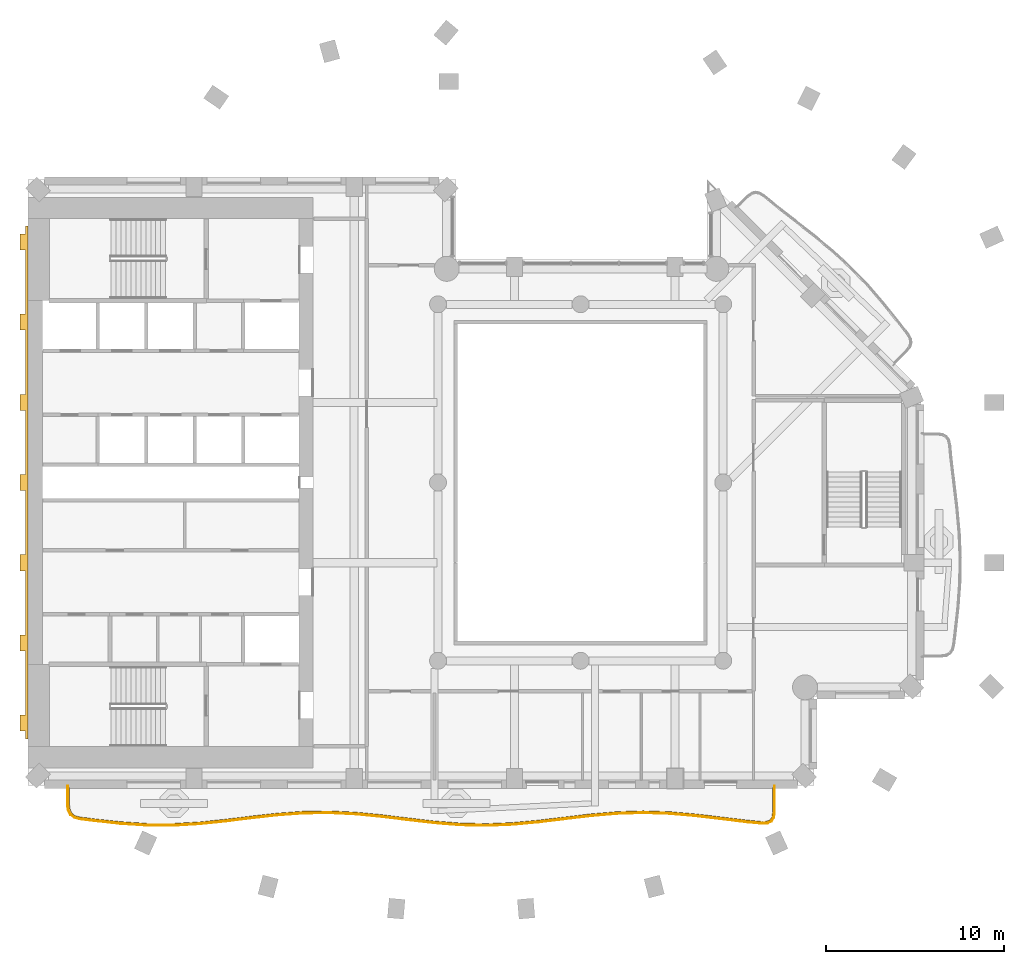
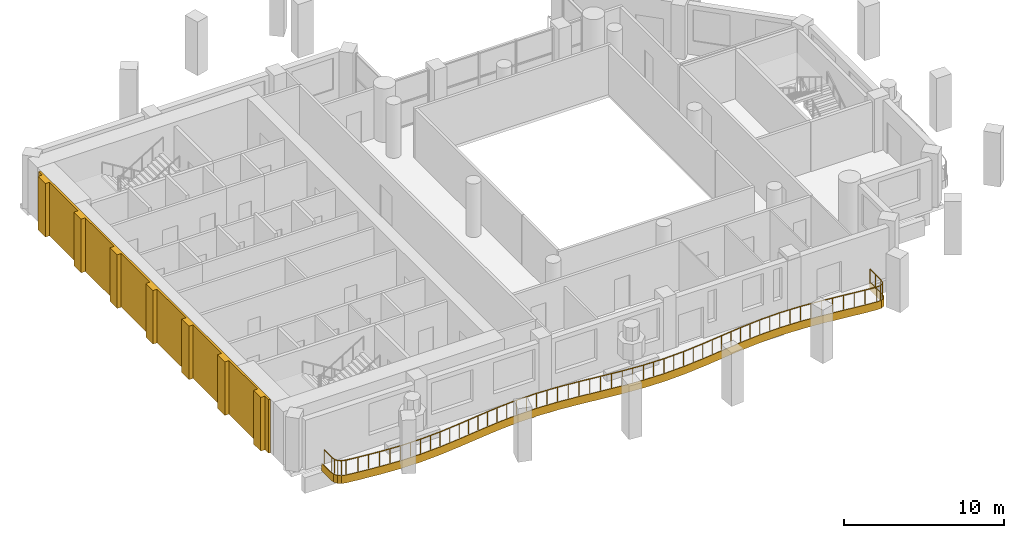
# One storey, part 11 of 15: 2 coverings, 1 railing.
"""IFC4 building model written with IfcOpenShell, lengths in metres."""

from ifc_helpers import new_model, si_unit, direction, frame, origin, origin_2d, place, context, subcontext, project, spatial, polyline, rectangle, outline, extrude, material, layer, layer_set, type_object, element, save


model = new_model("IFC4")

# Units and contexts
model_context = context("Model", 3, precision=1e-05, world=origin(), true_north=direction((0.0, 1.0)))
body_context = subcontext(model_context, "Body", "Model", "MODEL_VIEW")
ifc_project = project(units=[si_unit("LENGTHUNIT", "METRE"), si_unit("AREAUNIT", "SQUARE_METRE"), si_unit("VOLUMEUNIT", "CUBIC_METRE"), si_unit("PLANEANGLEUNIT", "RADIAN"), si_unit("MASSUNIT", "GRAM", prefix="KILO")], contexts=[model_context])

# Site, building, storey
site_placement = place(None, origin())
site = spatial("IfcSite", under=ifc_project, at=site_placement, CompositionType="ELEMENT")
building_placement = place(site_placement, origin())
building = spatial("IfcBuilding", under=site, at=building_placement, Name="Cypress Arch Tower", CompositionType="ELEMENT")
storey_placement = place(building_placement, frame((0.0, 0.0, 213.800048828125)))
storey = spatial("IfcBuildingStorey", under=building, at=storey_placement, Name="L47", CompositionType="ELEMENT", Elevation=213.800048828125)

# Covering
ifc_material_1 = material(Name="White powder-coated aluminium fascia", Category="aluminium")
ifc_layer_1 = layer(ifc_material_1, 0.050048828125)
ifc_layer_set_1 = layer_set([ifc_layer_1], Name="Balcony fascia BF50")
covering_type_1 = type_object("IfcCoveringType", Name="Balcony fascia BF50", PredefinedType="CLADDING", material=ifc_layer_set_1)
covering_1_placement = place(storey_placement, frame((0.0, 0.0, -0.60009765625)))
element("IfcCovering", 1, at=covering_1_placement, inside=storey, type_object=covering_type_1, Name="Balcony fascia L47-B01", PredefinedType="CLADDING", context=body_context, shape_type="SweptSolid", body=[
    extrude(outline(polyline([(11.89990234375, -18.5009765625), (11.856689453125, -18.80126953125), (11.719970703125, -19.017578125), (11.491943359375, -19.134033203125), (11.18896484375, -19.149658203125), (10.378173828125, -19.075439453125), (8.91064453125, -18.898193359375), (7.44482421875, -18.723876953125), (5.98046875, -18.596923828125), (4.5166015625, -18.550048828125), (3.052978515625, -18.594970703125), (1.58837890625, -18.72021484375), (0.12255859375, -18.89404296875), (-1.3447265625, -19.07177734375), (-2.813232421875, -19.207763671875), (-4.282958984375, -19.266845703125), (-5.75244140625, -19.234375), (-7.221435546875, -19.1181640625), (-8.689208984375, -18.9482421875), (-10.155517578125, -18.768310546875), (-11.620361328125, -18.624755859375), (-13.084228515625, -18.5537109375), (-14.5478515625, -18.57373046875), (-16.011962890625, -18.6796875), (-17.4775390625, -18.84423828125), (-18.9443359375, -19.025634765625), (-20.41259765625, -19.177001953125), (-21.882080078125, -19.259765625), (-23.351806640625, -19.252197265625), (-24.821044921875, -19.15673828125), (-26.2890625, -18.99755859375), (-27.099609375, -18.89697265625), (-27.400634765625, -18.81640625), (-27.623291015625, -18.654052734375), (-27.757080078125, -18.4130859375), (-27.800048828125, -18.1044921875), (-27.800048828125, -17.0009765625), (-27.75, -17.0009765625), (-27.75, -18.10107421875), (-27.708740234375, -18.39697265625), (-27.5849609375, -18.620361328125), (-27.378662109375, -18.7705078125), (-27.090087890625, -18.847900390625), (-26.283447265625, -18.94775390625), (-24.816650390625, -19.10693359375), (-23.35009765625, -19.202392578125), (-21.88330078125, -19.209716796875), (-20.416748046875, -19.127197265625), (-18.949951171875, -18.975830078125), (-17.4833984375, -18.794677734375), (-16.0166015625, -18.6298828125), (-14.550048828125, -18.52392578125), (-13.083251953125, -18.50390625), (-11.61669921875, -18.57470703125), (-10.14990234375, -18.71875), (-8.683349609375, -18.898681640625), (-7.216552734375, -19.068359375), (-5.75, -19.184326171875), (-4.283447265625, -19.217041015625), (-2.816650390625, -19.15771484375), (-1.35009765625, -19.02197265625), (0.11669921875, -18.844482421875), (1.583251953125, -18.67041015625), (3.050048828125, -18.544921875), (4.5166015625, -18.5), (5.9833984375, -18.547119140625), (7.449951171875, -18.674072265625), (8.916748046875, -18.8486328125), (10.38330078125, -19.025634765625), (11.18994140625, -19.099609375), (11.478759765625, -19.084716796875), (11.68505859375, -18.979248046875), (11.808837890625, -18.783447265625), (11.85009765625, -18.497314453125), (11.85009765625, -17.0009765625), (11.89990234375, -17.0009765625), (11.89990234375, -18.5009765625)])), origin(), (0.0, 0.0, 1.0), 0.60009765625),
])

# Railing
ifc_material_2 = material(Name="Powder-coated steel posts and rods, 100 mm clear between rods", Category="steel")
railing_type = type_object("IfcRailingType", Name="Balcony guard GR1100", PredefinedType="GUARDRAIL", material=ifc_material_2)
railing_placement = place(storey_placement, frame((11.800048828125, -17.14990234375, 0.0)))
element("IfcRailing", 2, at=railing_placement, inside=storey, type_object=railing_type, Name="Balcony guard L47-B01", PredefinedType="GUARDRAIL", context=body_context, shape_type="SweptSolid", body=[
    extrude(rectangle(XDim=0.050048828125, YDim=0.050048828125, at=origin_2d()), frame((0.0, 0.0, 1.0751953125), z_axis=(0.0, -1.0, 0.0), x_axis=(1.0, 0.0, 0.0)), (0.0, 0.0, 1.0), 1.34375),
    extrude(rectangle(XDim=0.050048828125, YDim=0.050048828125, at=origin_2d()), frame((0.0, -1.34375, 1.0751953125), z_axis=(-0.14291245619, -0.989735333241, 0.0), x_axis=(0.989735333241, -0.14291245619, 0.0)), (0.0, 0.0, 1.0), 0.275146484375),
    extrude(rectangle(XDim=0.050048828125, YDim=0.050048828125, at=origin_2d()), frame((-0.039306640625, -1.615966796875, 1.0751953125), z_axis=(-0.534126069755, -0.845404838884, 0.0), x_axis=(0.845404838884, -0.534126069755, 0.0)), (0.0, 0.0, 1.0), 0.20703125),
    extrude(rectangle(XDim=0.050048828125, YDim=0.050048828125, at=origin_2d()), frame((-0.14990234375, -1.791015625, 1.0751953125), z_axis=(-0.890625568385, -0.454737393382, 0.0), x_axis=(0.454737393382, -0.890625568385, 0.0)), (0.0, 0.0, 1.0), 0.207275390625),
    extrude(rectangle(XDim=0.050048828125, YDim=0.050048828125, at=origin_2d()), frame((-0.33447265625, -1.88525390625, 1.0751953125), z_axis=(-0.99862762044, -0.052372470761, 0.0), x_axis=(0.052372470761, -0.99862762044, 0.0)), (0.0, 0.0, 1.0), 0.275146484375),
    extrude(rectangle(XDim=0.050048828125, YDim=0.050048828125, at=origin_2d()), frame((-0.609130859375, -1.899658203125, 1.0751953125), z_axis=(-0.995803297803, 0.091519353602, 0.0), x_axis=(-0.091519353602, -0.995803297803, 0.0)), (0.0, 0.0, 1.0), 0.8056640625),
    extrude(rectangle(XDim=0.050048828125, YDim=0.050048828125, at=origin_2d()), frame((-1.411376953125, -1.825927734375, 1.0751953125), z_axis=(-0.992790525866, 0.119862303289, 0.0), x_axis=(-0.119862303289, -0.992790525866, 0.0)), (0.0, 0.0, 1.0), 1.476806640625),
    extrude(rectangle(XDim=0.050048828125, YDim=0.050048828125, at=origin_2d()), frame((-2.87744140625, -1.64892578125, 1.0751953125), z_axis=(-0.992999812021, 0.118115931724, 0.0), x_axis=(-0.118115931724, -0.992999812021, 0.0)), (0.0, 0.0, 1.0), 1.477783203125),
    extrude(rectangle(XDim=0.050048828125, YDim=0.050048828125, at=origin_2d()), frame((-4.344970703125, -1.474365234375, 1.0751953125), z_axis=(-0.996270975342, 0.086279451156, 0.0), x_axis=(-0.086279451156, -0.996270975342, 0.0)), (0.0, 0.0, 1.0), 1.474365234375),
    extrude(rectangle(XDim=0.050048828125, YDim=0.050048828125, at=origin_2d()), frame((-5.813720703125, -1.34716796875, 1.0751953125), z_axis=(-0.999486480415, 0.032043337329, 0.0), x_axis=(-0.032043337329, -0.999486480415, 0.0)), (0.0, 0.0, 1.0), 1.470458984375),
    extrude(rectangle(XDim=0.050048828125, YDim=0.050048828125, at=origin_2d()), frame((-7.283447265625, -1.300048828125, 1.0751953125), z_axis=(-0.99952798348, -0.030721494757, 0.0), x_axis=(0.030721494757, -0.99952798348, 0.0)), (0.0, 0.0, 1.0), 1.47021484375),
    extrude(rectangle(XDim=0.050048828125, YDim=0.050048828125, at=origin_2d()), frame((-8.7529296875, -1.34521484375, 1.0751953125), z_axis=(-0.996355903815, -0.085293100144, 0.0), x_axis=(0.085293100144, -0.996355903815, 0.0)), (0.0, 0.0, 1.0), 1.47412109375),
    extrude(rectangle(XDim=0.050048828125, YDim=0.050048828125, at=origin_2d()), frame((-10.2216796875, -1.470947265625, 1.0751953125), z_axis=(-0.993057822617, -0.117627211729, 0.0), x_axis=(0.117627211729, -0.993057822617, 0.0)), (0.0, 0.0, 1.0), 1.477783203125),
    extrude(rectangle(XDim=0.050048828125, YDim=0.050048828125, at=origin_2d()), frame((-11.689208984375, -1.644775390625, 1.0751953125), z_axis=(-0.992751126648, -0.120188188022, 0.0), x_axis=(0.120188188022, -0.992751126648, 0.0)), (0.0, 0.0, 1.0), 1.476806640625),
    extrude(rectangle(XDim=0.050048828125, YDim=0.050048828125, at=origin_2d()), frame((-13.1552734375, -1.822265625, 1.0751953125), z_axis=(-0.995733899974, -0.092271341398, 0.0), x_axis=(0.092271341398, -0.995733899974, 0.0)), (0.0, 0.0, 1.0), 1.47119140625),
    extrude(rectangle(XDim=0.050048828125, YDim=0.050048828125, at=origin_2d()), frame((-14.6201171875, -1.9580078125, 1.0751953125), z_axis=(-0.999186248133, -0.040334123778, 0.0), x_axis=(0.040334123778, -0.999186248133, 0.0)), (0.0, 0.0, 1.0), 1.46484375),
    extrude(rectangle(XDim=0.050048828125, YDim=0.050048828125, at=origin_2d()), frame((-16.083740234375, -2.01708984375, 1.0751953125), z_axis=(-0.999750371762, 0.022342653405, 0.0), x_axis=(-0.022342653405, -0.999750371762, 0.0)), (0.0, 0.0, 1.0), 1.464111328125),
    extrude(rectangle(XDim=0.050048828125, YDim=0.050048828125, at=origin_2d()), frame((-17.547607421875, -1.984375, 1.0751953125), z_axis=(-0.996891968694, 0.078780725769, 0.0), x_axis=(-0.078780725769, -0.996891968694, 0.0)), (0.0, 0.0, 1.0), 1.468994140625),
    extrude(rectangle(XDim=0.050048828125, YDim=0.050048828125, at=origin_2d()), frame((-19.011962890625, -1.86865234375, 1.0751953125), z_axis=(-0.993364653987, 0.115007235469, 0.0), x_axis=(-0.115007235469, -0.993364653987, 0.0)), (0.0, 0.0, 1.0), 1.475341796875),
    extrude(rectangle(XDim=0.050048828125, YDim=0.050048828125, at=origin_2d()), frame((-20.4775390625, -1.698974609375, 1.0751953125), z_axis=(-0.992562375316, 0.121737139392, 0.0), x_axis=(-0.121737139392, -0.992562375316, 0.0)), (0.0, 0.0, 1.0), 1.47802734375),
    extrude(rectangle(XDim=0.050048828125, YDim=0.050048828125, at=origin_2d()), frame((-21.944580078125, -1.51904296875, 1.0751953125), z_axis=(-0.99522379841, 0.097619624449, 0.0), x_axis=(-0.097619624449, -0.99522379841, 0.0)), (0.0, 0.0, 1.0), 1.4755859375),
    extrude(rectangle(XDim=0.050048828125, YDim=0.050048828125, at=origin_2d()), frame((-23.4130859375, -1.375, 1.0751953125), z_axis=(-0.998833333406, 0.048290496764, 0.0), x_axis=(-0.048290496764, -0.998833333406, 0.0)), (0.0, 0.0, 1.0), 1.47119140625),
    extrude(rectangle(XDim=0.050048828125, YDim=0.050048828125, at=origin_2d()), frame((-24.882568359375, -1.303955078125, 1.0751953125), z_axis=(-0.999907243512, -0.013619998998, 0.0), x_axis=(0.013619998998, -0.999907243512, 0.0)), (0.0, 0.0, 1.0), 1.469970703125),
    extrude(rectangle(XDim=0.050048828125, YDim=0.050048828125, at=origin_2d()), frame((-26.352294921875, -1.323974609375, 1.0751953125), z_axis=(-0.997396904207, -0.072106972466, 0.0), x_axis=(0.072106972466, -0.997396904207, 0.0)), (0.0, 0.0, 1.0), 1.472900390625),
    extrude(rectangle(XDim=0.050048828125, YDim=0.050048828125, at=origin_2d()), frame((-27.8212890625, -1.43017578125, 1.0751953125), z_axis=(-0.993758139445, -0.111556085835, 0.0), x_axis=(0.111556085835, -0.993758139445, 0.0)), (0.0, 0.0, 1.0), 1.477294921875),
    extrude(rectangle(XDim=0.050048828125, YDim=0.050048828125, at=origin_2d()), frame((-29.289306640625, -1.594970703125, 1.0751953125), z_axis=(-0.992434689631, -0.122773722011, 0.0), x_axis=(0.122773722011, -0.992434689631, 0.0)), (0.0, 0.0, 1.0), 1.4775390625),
    extrude(rectangle(XDim=0.050048828125, YDim=0.050048828125, at=origin_2d()), frame((-30.755615234375, -1.7763671875, 1.0751953125), z_axis=(-0.994722172081, -0.102605069908, 0.0), x_axis=(0.102605069908, -0.994722172081, 0.0)), (0.0, 0.0, 1.0), 1.472900390625),
    extrude(rectangle(XDim=0.050048828125, YDim=0.050048828125, at=origin_2d()), frame((-32.220703125, -1.927490234375, 1.0751953125), z_axis=(-0.998424279725, -0.056115574094, 0.0), x_axis=(0.056115574094, -0.998424279725, 0.0)), (0.0, 0.0, 1.0), 1.466064453125),
    extrude(rectangle(XDim=0.050048828125, YDim=0.050048828125, at=origin_2d()), frame((-33.6845703125, -2.009765625, 1.0751953125), z_axis=(-0.999987479376, 0.005004107486, 0.0), x_axis=(-0.005004107486, -0.999987479376, 0.0)), (0.0, 0.0, 1.0), 1.463623046875),
    extrude(rectangle(XDim=0.050048828125, YDim=0.050048828125, at=origin_2d()), frame((-35.148193359375, -2.00244140625, 1.0751953125), z_axis=(-0.997892069752, 0.06489543225, 0.0), x_axis=(-0.06489543225, -0.997892069752, 0.0)), (0.0, 0.0, 1.0), 1.46728515625),
    extrude(rectangle(XDim=0.050048828125, YDim=0.050048828125, at=origin_2d()), frame((-36.6123046875, -1.9072265625, 1.0751953125), z_axis=(-0.994169193956, 0.10783141374, 0.0), x_axis=(-0.10783141374, -0.994169193956, 0.0)), (0.0, 0.0, 1.0), 1.473876953125),
    extrude(rectangle(XDim=0.050048828125, YDim=0.050048828125, at=origin_2d()), frame((-38.07763671875, -1.748291015625, 1.0751953125), z_axis=(-0.992388917969, 0.123143150405, 0.0), x_axis=(-0.123143150405, -0.992388917969, 0.0)), (0.0, 0.0, 1.0), 0.808837890625),
    extrude(rectangle(XDim=0.050048828125, YDim=0.050048828125, at=origin_2d()), frame((-38.88037109375, -1.648681640625, 1.0751953125), z_axis=(-0.966050719358, 0.258352487172, 0.0), x_axis=(-0.258352487172, -0.966050719358, 0.0)), (0.0, 0.0, 1.0), 0.286376953125),
    extrude(rectangle(XDim=0.050048828125, YDim=0.050048828125, at=origin_2d()), frame((-39.156982421875, -1.57470703125, 1.0751953125), z_axis=(-0.80828600339, 0.588790061672, 0.0), x_axis=(-0.588790061672, -0.80828600339, 0.0)), (0.0, 0.0, 1.0), 0.234619140625),
    extrude(rectangle(XDim=0.050048828125, YDim=0.050048828125, at=origin_2d()), frame((-39.3466796875, -1.4365234375, 1.0751953125), z_axis=(-0.484230661082, 0.874940379036, 0.0), x_axis=(-0.874940379036, -0.484230661082, 0.0)), (0.0, 0.0, 1.0), 0.23486328125),
    extrude(rectangle(XDim=0.050048828125, YDim=0.050048828125, at=origin_2d()), frame((-39.46044921875, -1.23095703125, 1.0751953125), z_axis=(-0.138312888287, 0.990388582797, 0.0), x_axis=(-0.990388582797, -0.138312888287, 0.0)), (0.0, 0.0, 1.0), 0.285888671875),
    extrude(rectangle(XDim=0.050048828125, YDim=0.050048828125, at=origin_2d()), frame((-39.5, -0.94775390625, 1.0751953125), z_axis=(0.0, 1.0, 0.0), x_axis=(-1.0, 0.0, 0.0)), (0.0, 0.0, 1.0), 0.94775390625),
    extrude(rectangle(XDim=0.0400390625, YDim=0.0400390625, at=origin_2d()), origin(), (0.0, 0.0, 1.0), 1.050048828125),
    extrude(rectangle(XDim=0.0400390625, YDim=0.0400390625, at=origin_2d()), frame((0.0, -0.671875, 0.0)), (0.0, 0.0, 1.0), 1.050048828125),
    extrude(rectangle(XDim=0.0400390625, YDim=0.0400390625, at=origin_2d()), frame((0.0, -1.34375, 0.0)), (0.0, 0.0, 1.0), 1.050048828125),
    extrude(rectangle(XDim=0.0400390625, YDim=0.0400390625, at=origin_2d()), frame((-0.039306640625, -1.615966796875, 0.0)), (0.0, 0.0, 1.0), 1.050048828125),
    extrude(rectangle(XDim=0.0400390625, YDim=0.0400390625, at=origin_2d()), frame((-0.14990234375, -1.791015625, 0.0)), (0.0, 0.0, 1.0), 1.050048828125),
    extrude(rectangle(XDim=0.0400390625, YDim=0.0400390625, at=origin_2d()), frame((-0.33447265625, -1.88525390625, 0.0)), (0.0, 0.0, 1.0), 1.050048828125),
    extrude(rectangle(XDim=0.0400390625, YDim=0.0400390625, at=origin_2d()), frame((-0.609130859375, -1.899658203125, 0.0)), (0.0, 0.0, 1.0), 1.050048828125),
    extrude(rectangle(XDim=0.0400390625, YDim=0.0400390625, at=origin_2d()), frame((-1.411376953125, -1.825927734375, 0.0)), (0.0, 0.0, 1.0), 1.050048828125),
    extrude(rectangle(XDim=0.0400390625, YDim=0.0400390625, at=origin_2d()), frame((-2.14453125, -1.7373046875, 0.0)), (0.0, 0.0, 1.0), 1.050048828125),
    extrude(rectangle(XDim=0.0400390625, YDim=0.0400390625, at=origin_2d()), frame((-2.87744140625, -1.64892578125, 0.0)), (0.0, 0.0, 1.0), 1.050048828125),
    extrude(rectangle(XDim=0.0400390625, YDim=0.0400390625, at=origin_2d()), frame((-3.611328125, -1.5615234375, 0.0)), (0.0, 0.0, 1.0), 1.050048828125),
    extrude(rectangle(XDim=0.0400390625, YDim=0.0400390625, at=origin_2d()), frame((-4.344970703125, -1.474365234375, 0.0)), (0.0, 0.0, 1.0), 1.050048828125),
    extrude(rectangle(XDim=0.0400390625, YDim=0.0400390625, at=origin_2d()), frame((-5.079345703125, -1.41064453125, 0.0)), (0.0, 0.0, 1.0), 1.050048828125),
    extrude(rectangle(XDim=0.0400390625, YDim=0.0400390625, at=origin_2d()), frame((-5.813720703125, -1.34716796875, 0.0)), (0.0, 0.0, 1.0), 1.050048828125),
    extrude(rectangle(XDim=0.0400390625, YDim=0.0400390625, at=origin_2d()), frame((-6.548583984375, -1.32373046875, 0.0)), (0.0, 0.0, 1.0), 1.050048828125),
    extrude(rectangle(XDim=0.0400390625, YDim=0.0400390625, at=origin_2d()), frame((-7.283447265625, -1.300048828125, 0.0)), (0.0, 0.0, 1.0), 1.050048828125),
    extrude(rectangle(XDim=0.0400390625, YDim=0.0400390625, at=origin_2d()), frame((-8.01806640625, -1.32275390625, 0.0)), (0.0, 0.0, 1.0), 1.050048828125),
    extrude(rectangle(XDim=0.0400390625, YDim=0.0400390625, at=origin_2d()), frame((-8.7529296875, -1.34521484375, 0.0)), (0.0, 0.0, 1.0), 1.050048828125),
    extrude(rectangle(XDim=0.0400390625, YDim=0.0400390625, at=origin_2d()), frame((-9.4873046875, -1.408203125, 0.0)), (0.0, 0.0, 1.0), 1.050048828125),
    extrude(rectangle(XDim=0.0400390625, YDim=0.0400390625, at=origin_2d()), frame((-10.2216796875, -1.470947265625, 0.0)), (0.0, 0.0, 1.0), 1.050048828125),
    extrude(rectangle(XDim=0.0400390625, YDim=0.0400390625, at=origin_2d()), frame((-10.95556640625, -1.557861328125, 0.0)), (0.0, 0.0, 1.0), 1.050048828125),
    extrude(rectangle(XDim=0.0400390625, YDim=0.0400390625, at=origin_2d()), frame((-11.689208984375, -1.644775390625, 0.0)), (0.0, 0.0, 1.0), 1.050048828125),
    extrude(rectangle(XDim=0.0400390625, YDim=0.0400390625, at=origin_2d()), frame((-12.42236328125, -1.7333984375, 0.0)), (0.0, 0.0, 1.0), 1.050048828125),
    extrude(rectangle(XDim=0.0400390625, YDim=0.0400390625, at=origin_2d()), frame((-13.1552734375, -1.822265625, 0.0)), (0.0, 0.0, 1.0), 1.050048828125),
    extrude(rectangle(XDim=0.0400390625, YDim=0.0400390625, at=origin_2d()), frame((-13.8876953125, -1.89013671875, 0.0)), (0.0, 0.0, 1.0), 1.050048828125),
    extrude(rectangle(XDim=0.0400390625, YDim=0.0400390625, at=origin_2d()), frame((-14.6201171875, -1.9580078125, 0.0)), (0.0, 0.0, 1.0), 1.050048828125),
    extrude(rectangle(XDim=0.0400390625, YDim=0.0400390625, at=origin_2d()), frame((-15.35205078125, -1.987548828125, 0.0)), (0.0, 0.0, 1.0), 1.050048828125),
    extrude(rectangle(XDim=0.0400390625, YDim=0.0400390625, at=origin_2d()), frame((-16.083740234375, -2.01708984375, 0.0)), (0.0, 0.0, 1.0), 1.050048828125),
    extrude(rectangle(XDim=0.0400390625, YDim=0.0400390625, at=origin_2d()), frame((-16.815673828125, -2.000732421875, 0.0)), (0.0, 0.0, 1.0), 1.050048828125),
    extrude(rectangle(XDim=0.0400390625, YDim=0.0400390625, at=origin_2d()), frame((-17.547607421875, -1.984375, 0.0)), (0.0, 0.0, 1.0), 1.050048828125),
    extrude(rectangle(XDim=0.0400390625, YDim=0.0400390625, at=origin_2d()), frame((-18.27978515625, -1.926513671875, 0.0)), (0.0, 0.0, 1.0), 1.050048828125),
    extrude(rectangle(XDim=0.0400390625, YDim=0.0400390625, at=origin_2d()), frame((-19.011962890625, -1.86865234375, 0.0)), (0.0, 0.0, 1.0), 1.050048828125),
    extrude(rectangle(XDim=0.0400390625, YDim=0.0400390625, at=origin_2d()), frame((-19.74462890625, -1.78369140625, 0.0)), (0.0, 0.0, 1.0), 1.050048828125),
    extrude(rectangle(XDim=0.0400390625, YDim=0.0400390625, at=origin_2d()), frame((-20.4775390625, -1.698974609375, 0.0)), (0.0, 0.0, 1.0), 1.050048828125),
    extrude(rectangle(XDim=0.0400390625, YDim=0.0400390625, at=origin_2d()), frame((-21.2109375, -1.60888671875, 0.0)), (0.0, 0.0, 1.0), 1.050048828125),
    extrude(rectangle(XDim=0.0400390625, YDim=0.0400390625, at=origin_2d()), frame((-21.944580078125, -1.51904296875, 0.0)), (0.0, 0.0, 1.0), 1.050048828125),
    extrude(rectangle(XDim=0.0400390625, YDim=0.0400390625, at=origin_2d()), frame((-22.6787109375, -1.447021484375, 0.0)), (0.0, 0.0, 1.0), 1.050048828125),
    extrude(rectangle(XDim=0.0400390625, YDim=0.0400390625, at=origin_2d()), frame((-23.4130859375, -1.375, 0.0)), (0.0, 0.0, 1.0), 1.050048828125),
    extrude(rectangle(XDim=0.0400390625, YDim=0.0400390625, at=origin_2d()), frame((-24.14794921875, -1.33935546875, 0.0)), (0.0, 0.0, 1.0), 1.050048828125),
    extrude(rectangle(XDim=0.0400390625, YDim=0.0400390625, at=origin_2d()), frame((-24.882568359375, -1.303955078125, 0.0)), (0.0, 0.0, 1.0), 1.050048828125),
    extrude(rectangle(XDim=0.0400390625, YDim=0.0400390625, at=origin_2d()), frame((-25.617431640625, -1.31396484375, 0.0)), (0.0, 0.0, 1.0), 1.050048828125),
    extrude(rectangle(XDim=0.0400390625, YDim=0.0400390625, at=origin_2d()), frame((-26.352294921875, -1.323974609375, 0.0)), (0.0, 0.0, 1.0), 1.050048828125),
    extrude(rectangle(XDim=0.0400390625, YDim=0.0400390625, at=origin_2d()), frame((-27.0869140625, -1.376953125, 0.0)), (0.0, 0.0, 1.0), 1.050048828125),
    extrude(rectangle(XDim=0.0400390625, YDim=0.0400390625, at=origin_2d()), frame((-27.8212890625, -1.43017578125, 0.0)), (0.0, 0.0, 1.0), 1.050048828125),
    extrude(rectangle(XDim=0.0400390625, YDim=0.0400390625, at=origin_2d()), frame((-28.55517578125, -1.5126953125, 0.0)), (0.0, 0.0, 1.0), 1.050048828125),
    extrude(rectangle(XDim=0.0400390625, YDim=0.0400390625, at=origin_2d()), frame((-29.289306640625, -1.594970703125, 0.0)), (0.0, 0.0, 1.0), 1.050048828125),
    extrude(rectangle(XDim=0.0400390625, YDim=0.0400390625, at=origin_2d()), frame((-30.0224609375, -1.685546875, 0.0)), (0.0, 0.0, 1.0), 1.050048828125),
    extrude(rectangle(XDim=0.0400390625, YDim=0.0400390625, at=origin_2d()), frame((-30.755615234375, -1.7763671875, 0.0)), (0.0, 0.0, 1.0), 1.050048828125),
    extrude(rectangle(XDim=0.0400390625, YDim=0.0400390625, at=origin_2d()), frame((-31.48828125, -1.85205078125, 0.0)), (0.0, 0.0, 1.0), 1.050048828125),
    extrude(rectangle(XDim=0.0400390625, YDim=0.0400390625, at=origin_2d()), frame((-32.220703125, -1.927490234375, 0.0)), (0.0, 0.0, 1.0), 1.050048828125),
    extrude(rectangle(XDim=0.0400390625, YDim=0.0400390625, at=origin_2d()), frame((-32.95263671875, -1.96875, 0.0)), (0.0, 0.0, 1.0), 1.050048828125),
    extrude(rectangle(XDim=0.0400390625, YDim=0.0400390625, at=origin_2d()), frame((-33.6845703125, -2.009765625, 0.0)), (0.0, 0.0, 1.0), 1.050048828125),
    extrude(rectangle(XDim=0.0400390625, YDim=0.0400390625, at=origin_2d()), frame((-34.41650390625, -2.006103515625, 0.0)), (0.0, 0.0, 1.0), 1.050048828125),
    extrude(rectangle(XDim=0.0400390625, YDim=0.0400390625, at=origin_2d()), frame((-35.148193359375, -2.00244140625, 0.0)), (0.0, 0.0, 1.0), 1.050048828125),
    extrude(rectangle(XDim=0.0400390625, YDim=0.0400390625, at=origin_2d()), frame((-35.88037109375, -1.954833984375, 0.0)), (0.0, 0.0, 1.0), 1.050048828125),
    extrude(rectangle(XDim=0.0400390625, YDim=0.0400390625, at=origin_2d()), frame((-36.6123046875, -1.9072265625, 0.0)), (0.0, 0.0, 1.0), 1.050048828125),
    extrude(rectangle(XDim=0.0400390625, YDim=0.0400390625, at=origin_2d()), frame((-37.344970703125, -1.82763671875, 0.0)), (0.0, 0.0, 1.0), 1.050048828125),
    extrude(rectangle(XDim=0.0400390625, YDim=0.0400390625, at=origin_2d()), frame((-38.07763671875, -1.748291015625, 0.0)), (0.0, 0.0, 1.0), 1.050048828125),
    extrude(rectangle(XDim=0.0400390625, YDim=0.0400390625, at=origin_2d()), frame((-38.88037109375, -1.648681640625, 0.0)), (0.0, 0.0, 1.0), 1.050048828125),
    extrude(rectangle(XDim=0.0400390625, YDim=0.0400390625, at=origin_2d()), frame((-39.156982421875, -1.57470703125, 0.0)), (0.0, 0.0, 1.0), 1.050048828125),
    extrude(rectangle(XDim=0.0400390625, YDim=0.0400390625, at=origin_2d()), frame((-39.3466796875, -1.4365234375, 0.0)), (0.0, 0.0, 1.0), 1.050048828125),
    extrude(rectangle(XDim=0.0400390625, YDim=0.0400390625, at=origin_2d()), frame((-39.46044921875, -1.23095703125, 0.0)), (0.0, 0.0, 1.0), 1.050048828125),
    extrude(rectangle(XDim=0.0400390625, YDim=0.0400390625, at=origin_2d()), frame((-39.5, -0.94775390625, 0.0)), (0.0, 0.0, 1.0), 1.050048828125),
    extrude(rectangle(XDim=0.0400390625, YDim=0.0400390625, at=origin_2d()), frame((-39.5, 0.0, 0.0)), (0.0, 0.0, 1.0), 1.050048828125),
])

# Covering
ifc_material_3 = material(Name="Brick (red buff blend)", Category="masonry")
ifc_layer_2 = layer(ifc_material_3, 0.449951171875)
ifc_layer_set_2 = layer_set([ifc_layer_2], Name="West face brick piers WP450")
covering_type_2 = type_object("IfcCoveringType", Name="West face brick piers WP450", PredefinedType="CLADDING", material=ifc_layer_set_2)
covering_2_placement = place(storey_placement, origin())
element("IfcCovering", 3, at=covering_2_placement, inside=storey, type_object=covering_type_2, Name="West face brick piers L47", PredefinedType="CLADDING", context=body_context, shape_type="SweptSolid", body=[
    extrude(outline(polyline([(-30.14990234375, -13.050048828125), (-30.14990234375, -9.449951171875), (-30.449951171875, -9.449951171875), (-30.449951171875, -8.550048828125), (-30.14990234375, -8.550048828125), (-30.14990234375, -4.949951171875), (-30.449951171875, -4.949951171875), (-30.449951171875, -4.050048828125), (-30.14990234375, -4.050048828125), (-30.14990234375, -0.449951171875), (-30.449951171875, -0.449951171875), (-30.449951171875, 0.449951171875), (-30.14990234375, 0.449951171875), (-30.14990234375, 4.050048828125), (-30.449951171875, 4.050048828125), (-30.449951171875, 4.949951171875), (-30.14990234375, 4.949951171875), (-30.14990234375, 8.550048828125), (-30.449951171875, 8.550048828125), (-30.449951171875, 9.449951171875), (-30.14990234375, 9.449951171875), (-30.14990234375, 13.050048828125), (-30.449951171875, 13.050048828125), (-30.449951171875, 13.949951171875), (-30.14990234375, 13.949951171875), (-30.14990234375, 14.39990234375), (-30.0, 14.39990234375), (-30.0, -14.39990234375), (-30.14990234375, -14.39990234375), (-30.14990234375, -13.949951171875), (-30.449951171875, -13.949951171875), (-30.449951171875, -13.050048828125), (-30.14990234375, -13.050048828125)])), origin(), (0.0, 0.0, 1.0), 4.099853515625),
])

save(model, "model.ifc")
